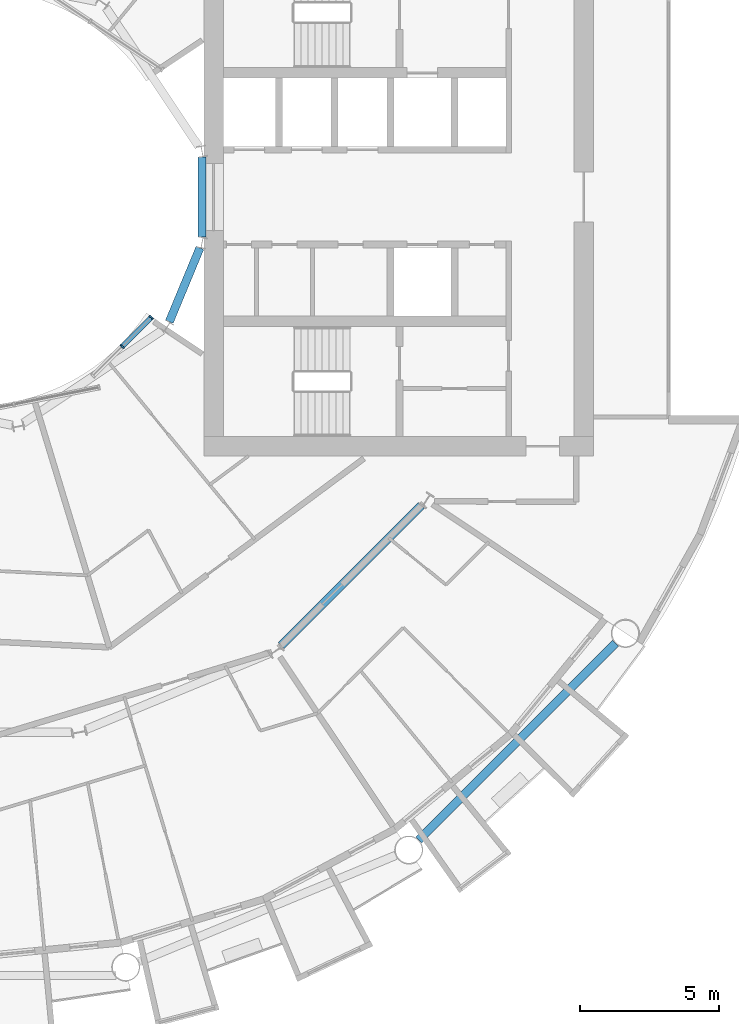
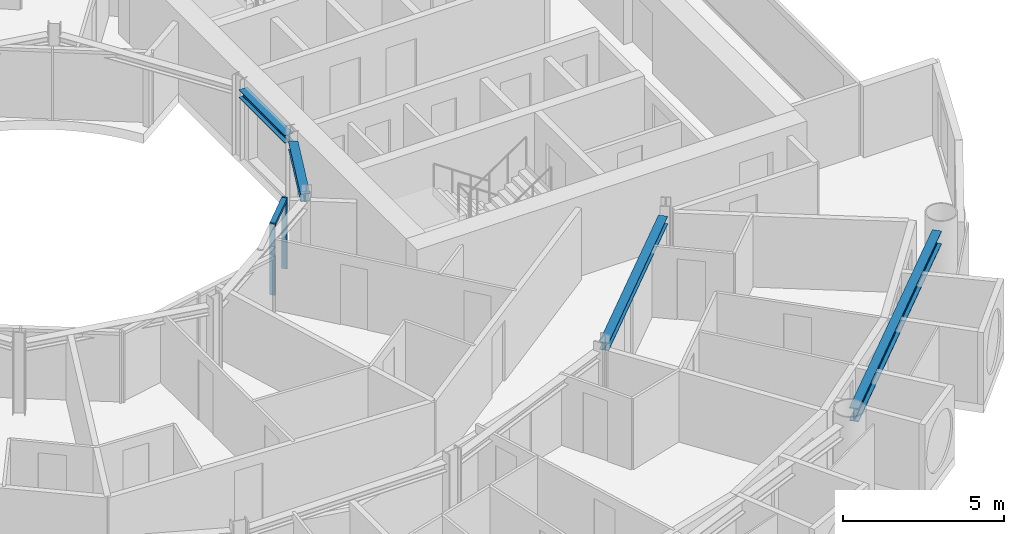
# One storey, part 6 of 26: 4 beams, 3 members, 1 element without a shape of its own.
"""IFC4 building model written with IfcOpenShell, lengths in metres."""

from ifc_helpers import new_model, si_unit, direction, frame, origin, origin_2d, place, context, subcontext, project, spatial, rectangle, i_section, extrude, material, layer, layer_set, material_profile, profile_set, type_object, element, aggregate, save


model = new_model("IFC4")

# Units and contexts
model_context = context("Model", 3, precision=1e-05, world=origin(), true_north=direction((0.0, 1.0)))
body_context = subcontext(model_context, "Body", "Model", "MODEL_VIEW")
ifc_project = project(units=[si_unit("LENGTHUNIT", "METRE"), si_unit("AREAUNIT", "SQUARE_METRE"), si_unit("VOLUMEUNIT", "CUBIC_METRE"), si_unit("PLANEANGLEUNIT", "RADIAN"), si_unit("MASSUNIT", "GRAM", prefix="KILO")], contexts=[model_context])

# Site, building, storey
site_placement = place(None, origin())
site = spatial("IfcSite", under=ifc_project, at=site_placement, CompositionType="ELEMENT")
building_placement = place(site_placement, origin())
building = spatial("IfcBuilding", under=site, at=building_placement, Name="Maasbend Ring Residences", CompositionType="ELEMENT")
storey_placement = place(building_placement, frame((0.0, 0.0, 72.75)))
storey = spatial("IfcBuildingStorey", under=building, at=storey_placement, Name="L20", CompositionType="ELEMENT", Elevation=72.75)

# Curtain wall, members
ifc_material_1 = material(Name="Aluminium and clear glass", Category="aluminium")
ifc_layer = layer(ifc_material_1, 0.179931640625)
ifc_layer_set = layer_set([ifc_layer], Name="CW-W")
curtain_wall_type = type_object("IfcCurtainWallType", Name="CW-W", PredefinedType="NOTDEFINED", material=ifc_layer_set)
curtain_wall_placement = place(storey_placement, origin())
curtain_wall = element("IfcCurtainWall", 1, at=curtain_wall_placement, inside=storey, type_object=curtain_wall_type, Name="Well curtain wall S3", PredefinedType="NOTDEFINED")
ifc_material_2 = material(Name="Aluminium 6063-T6", Category="aluminium")
ifc_material_profile_1 = material_profile(ifc_material_2, rectangle(XDim=0.179931640625, YDim=0.06005859375, at=origin_2d()), Name="AL 180x60")
ifc_profile_set_1 = profile_set([ifc_material_profile_1], Name="Aluminium 6063-T6")
member_type_1 = type_object("IfcMemberType", Name="CWM-W", PredefinedType="MULLION", material=ifc_profile_set_1)
member_1_placement = place(storey_placement, frame((5.366943359375, -5.366943359375, 0.0), z_axis=(0.0, 0.0, 1.0), x_axis=(-0.707106781187, 0.707106781187, 0.0)))
member_1 = element("IfcMember", 2, at=member_1_placement, type_object=member_type_1, Name="Mullion well face", PredefinedType="MULLION", context=body_context, shape_type="SweptSolid", body=[
    extrude(rectangle(XDim=0.179931640625, YDim=0.06005859375, at=origin_2d()), origin(), (0.0, 0.0, 1.0), 2.699951171875),
])
member_2_placement = place(storey_placement, frame((6.413330078125, -4.320556640625, 0.0), z_axis=(0.0, 0.0, 1.0), x_axis=(-0.707106781187, 0.707106781187, 0.0)))
member_2 = element("IfcMember", 3, at=member_2_placement, type_object=member_type_1, Name="Mullion well face", PredefinedType="MULLION", context=body_context, shape_type="SweptSolid", body=[
    extrude(rectangle(XDim=0.179931640625, YDim=0.06005859375, at=origin_2d()), origin(), (0.0, 0.0, 1.0), 2.699951171875),
])
ifc_material_3 = material(Name="Aluminium 6063-T6", Category="aluminium")
ifc_material_profile_2 = material_profile(ifc_material_3, rectangle(XDim=0.179931640625, YDim=0.1201171875, at=origin_2d()), Name="AL 180x120")
ifc_profile_set_2 = profile_set([ifc_material_profile_2], Name="Aluminium 6063-T6")
member_type_2 = type_object("IfcMemberType", Name="CWT-W", PredefinedType="USERDEFINED", material=ifc_profile_set_2)
member_3_placement = place(storey_placement, frame((5.38818359375, -5.345703125, 2.639892578125), z_axis=(0.707106781187, 0.707106781187, 0.0), x_axis=(-0.707106781187, 0.707106781187, 0.0)))
member_3 = element("IfcMember", 4, at=member_3_placement, type_object=member_type_2, Name="Transom well face", ObjectType="TRANSOM", PredefinedType="USERDEFINED", context=body_context, shape_type="SweptSolid", body=[
    extrude(rectangle(XDim=0.179931640625, YDim=0.1201171875, at=origin_2d()), origin(), (0.0, 0.0, 1.0), 1.419677734375),
])
aggregate(curtain_wall, [member_1, member_2, member_3])

# Beams
ifc_material_4 = material(Name="Steel S355J2", Category="steel")
ifc_material_profile_3 = material_profile(ifc_material_4, i_section(OverallWidth=0.300048828125, OverallDepth=0.300048828125, WebThickness=0.010986328125, FlangeThickness=0.01904296875, FilletRadius=0.027099609375, at=origin_2d()), Name="HEB 300")
ifc_profile_set_3 = profile_set([ifc_material_profile_3], Name="Steel S355J2")
beam_type_1 = type_object("IfcBeamType", Name="Corridor ring beam HEB 300", PredefinedType="BEAM", material=ifc_profile_set_3)
beam_1_placement = place(storey_placement, frame((11.078125, -16.10791015625, 2.550048828125), z_axis=(0.707106781187, 0.707106781187, 0.0), x_axis=(-0.707106781187, 0.707106781187, 0.0)))
element("IfcBeam", 5, at=beam_1_placement, inside=storey, type_object=beam_type_1, Name="Corridor ring beam", PredefinedType="BEAM", context=body_context, shape_type="SweptSolid", body=[
    extrude(i_section(OverallWidth=0.300048828125, OverallDepth=0.300048828125, WebThickness=0.010986328125, FlangeThickness=0.01904296875, FilletRadius=0.027099609375, at=origin_2d()), origin(), (0.0, 0.0, 1.0), 7.11328125),
])
ifc_material_5 = material(Name="Steel S355J2", Category="steel")
ifc_material_profile_4 = material_profile(ifc_material_5, i_section(OverallWidth=0.300048828125, OverallDepth=0.5, WebThickness=0.014404296875, FlangeThickness=0.028076171875, FilletRadius=0.027099609375, at=origin_2d()), Name="HEB 500")
ifc_profile_set_4 = profile_set([ifc_material_profile_4], Name="Steel S355J2")
beam_type_2 = type_object("IfcBeamType", Name="Spandrel ring beam HEB 500", PredefinedType="SPANDREL", material=ifc_profile_set_4)
beam_2_placement = place(storey_placement, frame((16.0263671875, -23.088134765625, 2.449951171875), z_axis=(0.707106781187, 0.707106781187, 0.0), x_axis=(-0.707106781187, 0.707106781187, 0.0)))
element("IfcBeam", 6, at=beam_2_placement, inside=storey, type_object=beam_type_2, Name="Spandrel ring beam", PredefinedType="SPANDREL", context=body_context, shape_type="SweptSolid", body=[
    extrude(i_section(OverallWidth=0.300048828125, OverallDepth=0.5, WebThickness=0.014404296875, FlangeThickness=0.028076171875, FilletRadius=0.027099609375, at=origin_2d()), origin(), (0.0, 0.0, 1.0), 9.98681640625),
])
ifc_material_6 = material(Name="Steel S355J2", Category="steel")
ifc_material_profile_5 = material_profile(ifc_material_6, i_section(OverallWidth=0.300048828125, OverallDepth=0.300048828125, WebThickness=0.010986328125, FlangeThickness=0.01904296875, FilletRadius=0.027099609375, at=origin_2d()), Name="HEB 300")
ifc_profile_set_5 = profile_set([ifc_material_profile_5], Name="Steel S355J2")
beam_type_3 = type_object("IfcBeamType", Name="Well edge beam HEB 300", PredefinedType="BEAM", material=ifc_profile_set_5)
beam_3_placement = place(storey_placement, frame((7.062255859375, -4.478515625, 2.550048828125), z_axis=(0.382729955172, 0.923860260761, 0.0), x_axis=(-0.923860260761, 0.382729955172, 0.0)))
element("IfcBeam", 7, at=beam_3_placement, inside=storey, type_object=beam_type_3, Name="Well edge beam", PredefinedType="BEAM", context=body_context, shape_type="SweptSolid", body=[
    extrude(i_section(OverallWidth=0.300048828125, OverallDepth=0.300048828125, WebThickness=0.010986328125, FlangeThickness=0.01904296875, FilletRadius=0.027099609375, at=origin_2d()), origin(), (0.0, 0.0, 1.0), 2.869873046875),
])
beam_4_placement = place(storey_placement, frame((8.238525390625, -1.434814453125, 2.550048828125), z_axis=(0.0, 1.0, 0.0), x_axis=(-1.0, 0.0, 0.0)))
element("IfcBeam", 8, at=beam_4_placement, inside=storey, type_object=beam_type_3, Name="Well edge beam", PredefinedType="BEAM", context=body_context, shape_type="SweptSolid", body=[
    extrude(i_section(OverallWidth=0.300048828125, OverallDepth=0.300048828125, WebThickness=0.010986328125, FlangeThickness=0.01904296875, FilletRadius=0.027099609375, at=origin_2d()), origin(), (0.0, 0.0, 1.0), 2.86962890625),
])

save(model, "model.ifc")
